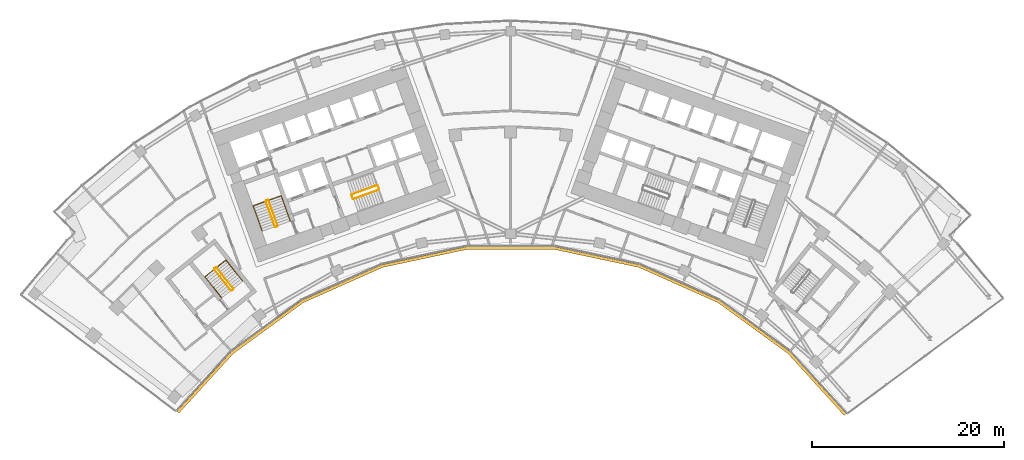
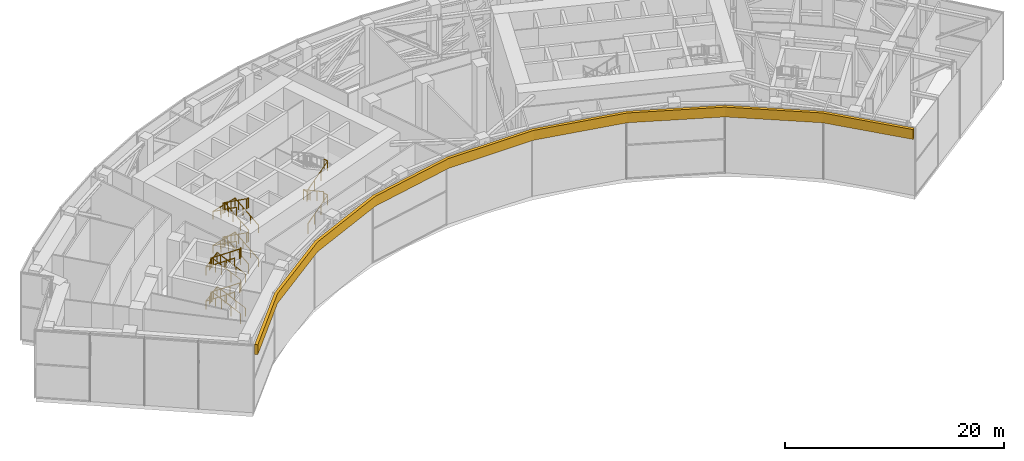
# One storey, part 30 of 32: 15 railings, 1 covering.
"""IFC4 building model written with IfcOpenShell, lengths in metres."""

from ifc_helpers import new_model, si_unit, direction, frame, origin, origin_2d, place, context, subcontext, project, spatial, polyline, circle, outline, extrude, material, layer, layer_set, type_object, element, save


model = new_model("IFC4")

# Units and contexts
model_context = context("Model", 3, precision=1e-05, world=origin(), true_north=direction((0.0, 1.0)))
body_context = subcontext(model_context, "Body", "Model", "MODEL_VIEW")
ifc_project = project(units=[si_unit("LENGTHUNIT", "METRE"), si_unit("AREAUNIT", "SQUARE_METRE"), si_unit("VOLUMEUNIT", "CUBIC_METRE"), si_unit("PLANEANGLEUNIT", "RADIAN"), si_unit("MASSUNIT", "GRAM", prefix="KILO")], contexts=[model_context])

# Site, building, storey
site_placement = place(None, origin())
site = spatial("IfcSite", under=ifc_project, at=site_placement, CompositionType="ELEMENT")
building_placement = place(site_placement, origin())
building = spatial("IfcBuilding", under=site, at=building_placement, Name="Stone Belt Terrace Tower", CompositionType="ELEMENT")
storey_placement = place(building_placement, frame((0.0, 0.0, 193.39990234375)))
storey = spatial("IfcBuildingStorey", under=building, at=storey_placement, Name="L47", CompositionType="ELEMENT", Elevation=193.39990234375)

# Railings
ifc_material_1 = material(Name="Structural steel C345", Category="steel")
railing_type_1 = type_object("IfcRailingType", Name="Stair guard 1100", PredefinedType="GUARDRAIL", material=ifc_material_1)
railing_1_placement = place(storey_placement, frame((-24.2119140625, 45.276123046875, 0.1728515625)))
element("IfcRailing", 1, at=railing_1_placement, inside=storey, type_object=railing_type_1, Name="L47 ST1A stair guard 1", PredefinedType="GUARDRAIL", context=body_context, shape_type="SweptSolid", body=[
    extrude(circle(Radius=0.02392578125, at=origin_2d()), frame((0.0, 0.0, 1.076171875), z_axis=(-0.288228637646, 0.800791768495, 0.525030280985), x_axis=(-0.940908529223, -0.338660803216, 0.0)), (0.0, 0.0, 1.0), 3.289794921875),
    extrude(circle(Radius=0.02392578125, at=origin_2d()), frame((-0.9482421875, 2.634521484375, 2.80322265625), z_axis=(-0.905209821074, 0.424964916, 0.0), x_axis=(-0.424964916, -0.905209821074, 0.0)), (0.0, 0.0, 1.0), 0.070556640625),
    extrude(circle(Radius=0.02392578125, at=origin_2d()), frame((-1.01220703125, 2.66455078125, 2.80322265625), z_axis=(-0.941105063269, -0.338114270461, 0.0), x_axis=(0.338114270461, -0.941105063269, 0.0)), (0.0, 0.0, 1.0), 0.199951171875),
    extrude(circle(Radius=0.02099609375, at=origin_2d()), origin(), (0.0, 0.0, 1.0), 1.052001953125),
    extrude(circle(Radius=0.02099609375, at=origin_2d()), frame((-0.316162109375, 0.878173828125, 0.57568359375)), (0.0, 0.0, 1.0), 1.052001953125),
    extrude(circle(Radius=0.02099609375, at=origin_2d()), frame((-0.632080078125, 1.75634765625, 1.151611328125)), (0.0, 0.0, 1.0), 1.052001953125),
    extrude(circle(Radius=0.02099609375, at=origin_2d()), frame((-0.9482421875, 2.634521484375, 1.727294921875)), (0.0, 0.0, 1.0), 1.052001953125),
    extrude(circle(Radius=0.02099609375, at=origin_2d()), frame((-1.01220703125, 2.66455078125, 1.727294921875)), (0.0, 0.0, 1.0), 1.052001953125),
    extrude(circle(Radius=0.02099609375, at=origin_2d()), frame((-1.200439453125, 2.596923828125, 1.727294921875)), (0.0, 0.0, 1.0), 1.052001953125),
])
railing_2_placement = place(storey_placement, frame((-25.4423828125, 47.80908203125, 2.07275390625)))
element("IfcRailing", 2, at=railing_2_placement, inside=storey, type_object=railing_type_1, Name="L47 ST1A stair guard 2", PredefinedType="GUARDRAIL", context=body_context, shape_type="SweptSolid", body=[
    extrude(circle(Radius=0.02392578125, at=origin_2d()), frame((0.0, 0.0, 1.076171875), z_axis=(0.288228637646, -0.800791768495, 0.525030280985), x_axis=(0.940908529223, 0.338660803216, 0.0)), (0.0, 0.0, 1.0), 3.289794921875),
    extrude(circle(Radius=0.02392578125, at=origin_2d()), frame((0.9482421875, -2.634521484375, 2.80322265625), z_axis=(0.903878284585, -0.427789722475, 0.0), x_axis=(0.427789722475, 0.903878284585, 0.0)), (0.0, 0.0, 1.0), 0.07080078125),
    extrude(circle(Radius=0.02392578125, at=origin_2d()), frame((1.01220703125, -2.664794921875, 2.80322265625), z_axis=(0.940575576748, 0.339584429008, 0.0), x_axis=(-0.339584429008, 0.940575576748, 0.0)), (0.0, 0.0, 1.0), 0.199951171875),
    extrude(circle(Radius=0.02099609375, at=origin_2d()), origin(), (0.0, 0.0, 1.0), 1.052001953125),
    extrude(circle(Radius=0.02099609375, at=origin_2d()), frame((0.316162109375, -0.878173828125, 0.57568359375)), (0.0, 0.0, 1.0), 1.052001953125),
    extrude(circle(Radius=0.02099609375, at=origin_2d()), frame((0.632080078125, -1.75634765625, 1.151611328125)), (0.0, 0.0, 1.0), 1.052001953125),
    extrude(circle(Radius=0.02099609375, at=origin_2d()), frame((0.9482421875, -2.634521484375, 1.727294921875)), (0.0, 0.0, 1.0), 1.052001953125),
    extrude(circle(Radius=0.02099609375, at=origin_2d()), frame((1.01220703125, -2.664794921875, 1.727294921875)), (0.0, 0.0, 1.0), 1.052001953125),
    extrude(circle(Radius=0.02099609375, at=origin_2d()), frame((1.2001953125, -2.596923828125, 1.727294921875)), (0.0, 0.0, 1.0), 1.052001953125),
])
railing_3_placement = place(storey_placement, frame((-24.2119140625, 45.276123046875, 3.972900390625)))
element("IfcRailing", 3, at=railing_3_placement, inside=storey, type_object=railing_type_1, Name="L47 ST1A stair guard 3", PredefinedType="GUARDRAIL", context=body_context, shape_type="SweptSolid", body=[
    extrude(circle(Radius=0.02392578125, at=origin_2d()), frame((0.0, 0.0, 1.076171875), z_axis=(-0.288228637646, 0.800791768495, 0.525030280985), x_axis=(-0.940908529223, -0.338660803216, 0.0)), (0.0, 0.0, 1.0), 3.289794921875),
    extrude(circle(Radius=0.02392578125, at=origin_2d()), frame((-0.9482421875, 2.634521484375, 2.80322265625), z_axis=(-0.905209821074, 0.424964916, 0.0), x_axis=(-0.424964916, -0.905209821074, 0.0)), (0.0, 0.0, 1.0), 0.070556640625),
    extrude(circle(Radius=0.02392578125, at=origin_2d()), frame((-1.01220703125, 2.66455078125, 2.80322265625), z_axis=(-0.941105063269, -0.338114270461, 0.0), x_axis=(0.338114270461, -0.941105063269, 0.0)), (0.0, 0.0, 1.0), 0.199951171875),
    extrude(circle(Radius=0.02099609375, at=origin_2d()), origin(), (0.0, 0.0, 1.0), 1.052001953125),
    extrude(circle(Radius=0.02099609375, at=origin_2d()), frame((-0.316162109375, 0.878173828125, 0.57568359375)), (0.0, 0.0, 1.0), 1.052001953125),
    extrude(circle(Radius=0.02099609375, at=origin_2d()), frame((-0.632080078125, 1.75634765625, 1.151611328125)), (0.0, 0.0, 1.0), 1.052001953125),
    extrude(circle(Radius=0.02099609375, at=origin_2d()), frame((-0.9482421875, 2.634521484375, 1.727294921875)), (0.0, 0.0, 1.0), 1.052001953125),
    extrude(circle(Radius=0.02099609375, at=origin_2d()), frame((-1.01220703125, 2.66455078125, 1.727294921875)), (0.0, 0.0, 1.0), 1.052001953125),
    extrude(circle(Radius=0.02099609375, at=origin_2d()), frame((-1.200439453125, 2.596923828125, 1.727294921875)), (0.0, 0.0, 1.0), 1.052001953125),
])
railing_4_placement = place(storey_placement, frame((-25.4423828125, 47.80908203125, 5.872802734375)))
element("IfcRailing", 4, at=railing_4_placement, inside=storey, type_object=railing_type_1, Name="L47 ST1A stair guard 4", PredefinedType="GUARDRAIL", context=body_context, shape_type="SweptSolid", body=[
    extrude(circle(Radius=0.02392578125, at=origin_2d()), frame((0.0, 0.0, 1.076171875), z_axis=(0.288228637646, -0.800791768495, 0.525030280985), x_axis=(0.940908529223, 0.338660803216, 0.0)), (0.0, 0.0, 1.0), 3.289794921875),
    extrude(circle(Radius=0.02392578125, at=origin_2d()), frame((0.9482421875, -2.634521484375, 2.80322265625), z_axis=(0.903878284585, -0.427789722475, 0.0), x_axis=(0.427789722475, 0.903878284585, 0.0)), (0.0, 0.0, 1.0), 0.07080078125),
    extrude(circle(Radius=0.02392578125, at=origin_2d()), frame((1.01220703125, -2.664794921875, 2.80322265625), z_axis=(0.940575576748, 0.339584429008, 0.0), x_axis=(-0.339584429008, 0.940575576748, 0.0)), (0.0, 0.0, 1.0), 0.199951171875),
    extrude(circle(Radius=0.02099609375, at=origin_2d()), origin(), (0.0, 0.0, 1.0), 1.052001953125),
    extrude(circle(Radius=0.02099609375, at=origin_2d()), frame((0.316162109375, -0.878173828125, 0.57568359375)), (0.0, 0.0, 1.0), 1.052001953125),
    extrude(circle(Radius=0.02099609375, at=origin_2d()), frame((0.632080078125, -1.75634765625, 1.151611328125)), (0.0, 0.0, 1.0), 1.052001953125),
    extrude(circle(Radius=0.02099609375, at=origin_2d()), frame((0.9482421875, -2.634521484375, 1.727294921875)), (0.0, 0.0, 1.0), 1.052001953125),
    extrude(circle(Radius=0.02099609375, at=origin_2d()), frame((1.01220703125, -2.664794921875, 1.727294921875)), (0.0, 0.0, 1.0), 1.052001953125),
    extrude(circle(Radius=0.02099609375, at=origin_2d()), frame((1.2001953125, -2.596923828125, 1.727294921875)), (0.0, 0.0, 1.0), 1.052001953125),
])
railing_5_placement = place(storey_placement, frame((-16.33837890625, 48.056640625, 0.1728515625)))
element("IfcRailing", 5, at=railing_5_placement, inside=storey, type_object=railing_type_1, Name="L47 ST2A stair guard 1", PredefinedType="GUARDRAIL", context=body_context, shape_type="SweptSolid", body=[
    extrude(circle(Radius=0.02392578125, at=origin_2d()), frame((0.0, 0.0, 1.076171875), z_axis=(0.800808895155, 0.288160591223, 0.52504150989), x_axis=(-0.338583606334, 0.940936311087, 0.0)), (0.0, 0.0, 1.0), 3.289794921875),
    extrude(circle(Radius=0.02392578125, at=origin_2d()), frame((2.634521484375, 0.947998046875, 2.80322265625), z_axis=(0.427789722475, 0.903878284585, 0.0), x_axis=(-0.903878284585, 0.427789722475, 0.0)), (0.0, 0.0, 1.0), 0.07080078125),
    extrude(circle(Radius=0.02392578125, at=origin_2d()), frame((2.664794921875, 1.011962890625, 2.80322265625), z_axis=(-0.338654645739, 0.940910745459, 0.0), x_axis=(-0.940910745459, -0.338654645739, 0.0)), (0.0, 0.0, 1.0), 0.400146484375),
    extrude(circle(Radius=0.02099609375, at=origin_2d()), origin(), (0.0, 0.0, 1.0), 1.052001953125),
    extrude(circle(Radius=0.02099609375, at=origin_2d()), frame((0.878173828125, 0.31591796875, 0.57568359375)), (0.0, 0.0, 1.0), 1.052001953125),
    extrude(circle(Radius=0.02099609375, at=origin_2d()), frame((1.75634765625, 0.632080078125, 1.151611328125)), (0.0, 0.0, 1.0), 1.052001953125),
    extrude(circle(Radius=0.02099609375, at=origin_2d()), frame((2.634521484375, 0.947998046875, 1.727294921875)), (0.0, 0.0, 1.0), 1.052001953125),
    extrude(circle(Radius=0.02099609375, at=origin_2d()), frame((2.664794921875, 1.011962890625, 1.727294921875)), (0.0, 0.0, 1.0), 1.052001953125),
    extrude(circle(Radius=0.02099609375, at=origin_2d()), frame((2.529296875, 1.388427734375, 1.727294921875)), (0.0, 0.0, 1.0), 1.052001953125),
])
railing_6_placement = place(storey_placement, frame((-13.873046875, 49.47509765625, 2.07275390625)))
element("IfcRailing", 6, at=railing_6_placement, inside=storey, type_object=railing_type_1, Name="L47 ST2A stair guard 2", PredefinedType="GUARDRAIL", context=body_context, shape_type="SweptSolid", body=[
    extrude(circle(Radius=0.02392578125, at=origin_2d()), frame((0.0, 0.0, 1.076171875), z_axis=(-0.800808895155, -0.288160591223, 0.52504150989), x_axis=(0.338583606334, -0.940936311087, 0.0)), (0.0, 0.0, 1.0), 3.289794921875),
    extrude(circle(Radius=0.02392578125, at=origin_2d()), frame((-2.634521484375, -0.947998046875, 2.80322265625), z_axis=(-0.427789722475, -0.903878284585, 0.0), x_axis=(0.903878284585, -0.427789722475, 0.0)), (0.0, 0.0, 1.0), 0.07080078125),
    extrude(circle(Radius=0.02392578125, at=origin_2d()), frame((-2.664794921875, -1.011962890625, 2.80322265625), z_axis=(0.338654645739, -0.940910745459, 0.0), x_axis=(0.940910745459, 0.338654645739, 0.0)), (0.0, 0.0, 1.0), 0.400146484375),
    extrude(circle(Radius=0.02099609375, at=origin_2d()), origin(), (0.0, 0.0, 1.0), 1.052001953125),
    extrude(circle(Radius=0.02099609375, at=origin_2d()), frame((-0.878173828125, -0.31591796875, 0.57568359375)), (0.0, 0.0, 1.0), 1.052001953125),
    extrude(circle(Radius=0.02099609375, at=origin_2d()), frame((-1.75634765625, -0.632080078125, 1.151611328125)), (0.0, 0.0, 1.0), 1.052001953125),
    extrude(circle(Radius=0.02099609375, at=origin_2d()), frame((-2.634521484375, -0.947998046875, 1.727294921875)), (0.0, 0.0, 1.0), 1.052001953125),
    extrude(circle(Radius=0.02099609375, at=origin_2d()), frame((-2.664794921875, -1.011962890625, 1.727294921875)), (0.0, 0.0, 1.0), 1.052001953125),
    extrude(circle(Radius=0.02099609375, at=origin_2d()), frame((-2.529296875, -1.388427734375, 1.727294921875)), (0.0, 0.0, 1.0), 1.052001953125),
])
railing_7_placement = place(storey_placement, frame((-16.33837890625, 48.056640625, 3.972900390625)))
element("IfcRailing", 7, at=railing_7_placement, inside=storey, type_object=railing_type_1, Name="L47 ST2A stair guard 3", PredefinedType="GUARDRAIL", context=body_context, shape_type="SweptSolid", body=[
    extrude(circle(Radius=0.02392578125, at=origin_2d()), frame((0.0, 0.0, 1.076171875), z_axis=(0.800808895155, 0.288160591223, 0.52504150989), x_axis=(-0.338583606334, 0.940936311087, 0.0)), (0.0, 0.0, 1.0), 3.289794921875),
    extrude(circle(Radius=0.02392578125, at=origin_2d()), frame((2.634521484375, 0.947998046875, 2.80322265625), z_axis=(0.427789722475, 0.903878284585, 0.0), x_axis=(-0.903878284585, 0.427789722475, 0.0)), (0.0, 0.0, 1.0), 0.07080078125),
    extrude(circle(Radius=0.02392578125, at=origin_2d()), frame((2.664794921875, 1.011962890625, 2.80322265625), z_axis=(-0.338654645739, 0.940910745459, 0.0), x_axis=(-0.940910745459, -0.338654645739, 0.0)), (0.0, 0.0, 1.0), 0.400146484375),
    extrude(circle(Radius=0.02099609375, at=origin_2d()), origin(), (0.0, 0.0, 1.0), 1.052001953125),
    extrude(circle(Radius=0.02099609375, at=origin_2d()), frame((0.878173828125, 0.31591796875, 0.57568359375)), (0.0, 0.0, 1.0), 1.052001953125),
    extrude(circle(Radius=0.02099609375, at=origin_2d()), frame((1.75634765625, 0.632080078125, 1.151611328125)), (0.0, 0.0, 1.0), 1.052001953125),
    extrude(circle(Radius=0.02099609375, at=origin_2d()), frame((2.634521484375, 0.947998046875, 1.727294921875)), (0.0, 0.0, 1.0), 1.052001953125),
    extrude(circle(Radius=0.02099609375, at=origin_2d()), frame((2.664794921875, 1.011962890625, 1.727294921875)), (0.0, 0.0, 1.0), 1.052001953125),
    extrude(circle(Radius=0.02099609375, at=origin_2d()), frame((2.529296875, 1.388427734375, 1.727294921875)), (0.0, 0.0, 1.0), 1.052001953125),
])
railing_8_placement = place(storey_placement, frame((-28.814208984375, 38.734619140625, 0.1728515625)))
element("IfcRailing", 8, at=railing_8_placement, inside=storey, type_object=railing_type_1, Name="L47 ST3A stair guard 1", PredefinedType="GUARDRAIL", context=body_context, shape_type="SweptSolid", body=[
    extrude(circle(Radius=0.02392578125, at=origin_2d()), frame((0.0, 0.0, 1.076171875), z_axis=(-0.530306321799, 0.665665785969, 0.525037395288), x_axis=(-0.782143211408, -0.623098705543, 0.0)), (0.0, 0.0, 1.0), 3.289794921875),
    extrude(circle(Radius=0.02392578125, at=origin_2d()), frame((-1.74462890625, 2.18994140625, 2.80322265625), z_axis=(-0.993883734674, 0.110431526075, 0.0), x_axis=(-0.110431526075, -0.993883734674, 0.0)), (0.0, 0.0, 1.0), 0.07080078125),
    extrude(circle(Radius=0.02392578125, at=origin_2d()), frame((-1.81494140625, 2.19775390625, 2.80322265625), z_axis=(-0.782533463299, -0.622608527742, 0.0), x_axis=(0.622608527742, -0.782533463299, 0.0)), (0.0, 0.0, 1.0), 0.199951171875),
    extrude(circle(Radius=0.02099609375, at=origin_2d()), origin(), (0.0, 0.0, 1.0), 1.052001953125),
    extrude(circle(Radius=0.02099609375, at=origin_2d()), frame((-0.58154296875, 0.72998046875, 0.57568359375)), (0.0, 0.0, 1.0), 1.052001953125),
    extrude(circle(Radius=0.02099609375, at=origin_2d()), frame((-1.1630859375, 1.4599609375, 1.151611328125)), (0.0, 0.0, 1.0), 1.052001953125),
    extrude(circle(Radius=0.02099609375, at=origin_2d()), frame((-1.74462890625, 2.18994140625, 1.727294921875)), (0.0, 0.0, 1.0), 1.052001953125),
    extrude(circle(Radius=0.02099609375, at=origin_2d()), frame((-1.81494140625, 2.19775390625, 1.727294921875)), (0.0, 0.0, 1.0), 1.052001953125),
    extrude(circle(Radius=0.02099609375, at=origin_2d()), frame((-1.971435546875, 2.0732421875, 1.727294921875)), (0.0, 0.0, 1.0), 1.052001953125),
])
railing_9_placement = place(storey_placement, frame((-30.793701171875, 40.737548828125, 2.07275390625)))
element("IfcRailing", 9, at=railing_9_placement, inside=storey, type_object=railing_type_1, Name="L47 ST3A stair guard 2", PredefinedType="GUARDRAIL", context=body_context, shape_type="SweptSolid", body=[
    extrude(circle(Radius=0.02392578125, at=origin_2d()), frame((0.0, 0.0, 1.076171875), z_axis=(0.530359659125, -0.665639588968, 0.525016732659), x_axis=(0.782100716982, 0.62315204284, 0.0)), (0.0, 0.0, 1.0), 3.2900390625),
    extrude(circle(Radius=0.02392578125, at=origin_2d()), frame((1.744873046875, -2.18994140625, 2.80322265625), z_axis=(0.993499272973, -0.113838458361, 0.0), x_axis=(0.113838458361, 0.993499272973, 0.0)), (0.0, 0.0, 1.0), 0.07080078125),
    extrude(circle(Radius=0.02392578125, at=origin_2d()), frame((1.815185546875, -2.197998046875, 2.80322265625), z_axis=(0.781464082609, 0.623950228458, 0.0), x_axis=(-0.623950228458, 0.781464082609, 0.0)), (0.0, 0.0, 1.0), 0.199951171875),
    extrude(circle(Radius=0.02099609375, at=origin_2d()), origin(), (0.0, 0.0, 1.0), 1.052001953125),
    extrude(circle(Radius=0.02099609375, at=origin_2d()), frame((0.58154296875, -0.72998046875, 0.57568359375)), (0.0, 0.0, 1.0), 1.052001953125),
    extrude(circle(Radius=0.02099609375, at=origin_2d()), frame((1.163330078125, -1.4599609375, 1.151611328125)), (0.0, 0.0, 1.0), 1.052001953125),
    extrude(circle(Radius=0.02099609375, at=origin_2d()), frame((1.744873046875, -2.18994140625, 1.727294921875)), (0.0, 0.0, 1.0), 1.052001953125),
    extrude(circle(Radius=0.02099609375, at=origin_2d()), frame((1.815185546875, -2.197998046875, 1.727294921875)), (0.0, 0.0, 1.0), 1.052001953125),
    extrude(circle(Radius=0.02099609375, at=origin_2d()), frame((1.971435546875, -2.0732421875, 1.727294921875)), (0.0, 0.0, 1.0), 1.052001953125),
])
railing_10_placement = place(storey_placement, frame((-28.814208984375, 38.734619140625, 3.972900390625)))
element("IfcRailing", 10, at=railing_10_placement, inside=storey, type_object=railing_type_1, Name="L47 ST3A stair guard 3", PredefinedType="GUARDRAIL", context=body_context, shape_type="SweptSolid", body=[
    extrude(circle(Radius=0.02392578125, at=origin_2d()), frame((0.0, 0.0, 1.076171875), z_axis=(-0.530306321799, 0.665665785969, 0.525037395288), x_axis=(-0.782143211408, -0.623098705543, 0.0)), (0.0, 0.0, 1.0), 3.289794921875),
    extrude(circle(Radius=0.02392578125, at=origin_2d()), frame((-1.74462890625, 2.18994140625, 2.80322265625), z_axis=(-0.993883734674, 0.110431526075, 0.0), x_axis=(-0.110431526075, -0.993883734674, 0.0)), (0.0, 0.0, 1.0), 0.07080078125),
    extrude(circle(Radius=0.02392578125, at=origin_2d()), frame((-1.81494140625, 2.19775390625, 2.80322265625), z_axis=(-0.782533463299, -0.622608527742, 0.0), x_axis=(0.622608527742, -0.782533463299, 0.0)), (0.0, 0.0, 1.0), 0.199951171875),
    extrude(circle(Radius=0.02099609375, at=origin_2d()), origin(), (0.0, 0.0, 1.0), 1.052001953125),
    extrude(circle(Radius=0.02099609375, at=origin_2d()), frame((-0.58154296875, 0.72998046875, 0.57568359375)), (0.0, 0.0, 1.0), 1.052001953125),
    extrude(circle(Radius=0.02099609375, at=origin_2d()), frame((-1.1630859375, 1.4599609375, 1.151611328125)), (0.0, 0.0, 1.0), 1.052001953125),
    extrude(circle(Radius=0.02099609375, at=origin_2d()), frame((-1.74462890625, 2.18994140625, 1.727294921875)), (0.0, 0.0, 1.0), 1.052001953125),
    extrude(circle(Radius=0.02099609375, at=origin_2d()), frame((-1.81494140625, 2.19775390625, 1.727294921875)), (0.0, 0.0, 1.0), 1.052001953125),
    extrude(circle(Radius=0.02099609375, at=origin_2d()), frame((-1.971435546875, 2.0732421875, 1.727294921875)), (0.0, 0.0, 1.0), 1.052001953125),
])
railing_11_placement = place(storey_placement, frame((-30.793701171875, 40.737548828125, 5.872802734375)))
element("IfcRailing", 11, at=railing_11_placement, inside=storey, type_object=railing_type_1, Name="L47 ST3A stair guard 4", PredefinedType="GUARDRAIL", context=body_context, shape_type="SweptSolid", body=[
    extrude(circle(Radius=0.02392578125, at=origin_2d()), frame((0.0, 0.0, 1.076171875), z_axis=(0.530359659125, -0.665639588968, 0.525016732659), x_axis=(0.782100716982, 0.62315204284, 0.0)), (0.0, 0.0, 1.0), 3.2900390625),
    extrude(circle(Radius=0.02392578125, at=origin_2d()), frame((1.744873046875, -2.18994140625, 2.80322265625), z_axis=(0.993499272973, -0.113838458361, 0.0), x_axis=(0.113838458361, 0.993499272973, 0.0)), (0.0, 0.0, 1.0), 0.07080078125),
    extrude(circle(Radius=0.02392578125, at=origin_2d()), frame((1.815185546875, -2.197998046875, 2.80322265625), z_axis=(0.781464082609, 0.623950228458, 0.0), x_axis=(-0.623950228458, 0.781464082609, 0.0)), (0.0, 0.0, 1.0), 0.199951171875),
    extrude(circle(Radius=0.02099609375, at=origin_2d()), origin(), (0.0, 0.0, 1.0), 1.052001953125),
    extrude(circle(Radius=0.02099609375, at=origin_2d()), frame((0.58154296875, -0.72998046875, 0.57568359375)), (0.0, 0.0, 1.0), 1.052001953125),
    extrude(circle(Radius=0.02099609375, at=origin_2d()), frame((1.163330078125, -1.4599609375, 1.151611328125)), (0.0, 0.0, 1.0), 1.052001953125),
    extrude(circle(Radius=0.02099609375, at=origin_2d()), frame((1.744873046875, -2.18994140625, 1.727294921875)), (0.0, 0.0, 1.0), 1.052001953125),
    extrude(circle(Radius=0.02099609375, at=origin_2d()), frame((1.815185546875, -2.197998046875, 1.727294921875)), (0.0, 0.0, 1.0), 1.052001953125),
    extrude(circle(Radius=0.02099609375, at=origin_2d()), frame((1.971435546875, -2.0732421875, 1.727294921875)), (0.0, 0.0, 1.0), 1.052001953125),
])
railing_type_2 = type_object("IfcRailingType", Name="Stair handrail 900", PredefinedType="HANDRAIL", material=ifc_material_1)
railing_12_placement = place(storey_placement, frame((-22.894775390625, 45.750244140625, 0.1728515625)))
element("IfcRailing", 12, at=railing_12_placement, inside=storey, type_object=railing_type_2, Name="L47 ST1A stair handrail 1", PredefinedType="HANDRAIL", context=body_context, shape_type="SweptSolid", body=[
    extrude(circle(Radius=0.02392578125, at=origin_2d()), frame((0.0, 0.0, 0.8759765625), z_axis=(-0.288160591223, 0.800808895155, 0.52504150989), x_axis=(-0.940936311087, -0.338583606334, 0.0)), (0.0, 0.0, 1.0), 3.289794921875),
    extrude(circle(Radius=0.02392578125, at=origin_2d()), frame((-0.947998046875, 2.634521484375, 2.60302734375), z_axis=(-0.939464517435, -0.338106580597, 0.055591012205), x_axis=(0.338630230244, -0.940919532779, 0.0)), (0.0, 0.0, 1.0), 3.10498046875),
    extrude(circle(Radius=0.02392578125, at=origin_2d()), frame((-3.864990234375, 1.584716796875, 2.77587890625), z_axis=(0.288228637646, -0.800791768495, 0.525030280985), x_axis=(0.940908529223, 0.338660803216, 0.0)), (0.0, 0.0, 1.0), 3.289794921875),
    extrude(circle(Radius=0.02099609375, at=origin_2d()), origin(), (0.0, 0.0, 1.0), 0.851806640625),
    extrude(circle(Radius=0.02099609375, at=origin_2d()), frame((-0.31591796875, 0.878173828125, 0.57568359375)), (0.0, 0.0, 1.0), 0.851806640625),
    extrude(circle(Radius=0.02099609375, at=origin_2d()), frame((-0.632080078125, 1.75634765625, 1.151611328125)), (0.0, 0.0, 1.0), 0.851806640625),
    extrude(circle(Radius=0.02099609375, at=origin_2d()), frame((-0.947998046875, 2.634521484375, 1.727294921875)), (0.0, 0.0, 1.0), 0.851806640625),
    extrude(circle(Radius=0.02099609375, at=origin_2d()), frame((-1.92041015625, 2.28466796875, 1.784912109375)), (0.0, 0.0, 1.0), 0.851806640625),
    extrude(circle(Radius=0.02099609375, at=origin_2d()), frame((-2.892578125, 1.9345703125, 1.84228515625)), (0.0, 0.0, 1.0), 0.851806640625),
    extrude(circle(Radius=0.02099609375, at=origin_2d()), frame((-3.864990234375, 1.584716796875, 1.89990234375)), (0.0, 0.0, 1.0), 0.851806640625),
    extrude(circle(Radius=0.02099609375, at=origin_2d()), frame((-3.548828125, 0.70654296875, 2.4755859375)), (0.0, 0.0, 1.0), 0.851806640625),
    extrude(circle(Radius=0.02099609375, at=origin_2d()), frame((-3.23291015625, -0.171630859375, 3.051513671875)), (0.0, 0.0, 1.0), 0.851806640625),
    extrude(circle(Radius=0.02099609375, at=origin_2d()), frame((-2.916748046875, -1.0498046875, 3.627197265625)), (0.0, 0.0, 1.0), 0.851806640625),
])
railing_13_placement = place(storey_placement, frame((-22.894775390625, 45.750244140625, 3.972900390625)))
element("IfcRailing", 13, at=railing_13_placement, inside=storey, type_object=railing_type_2, Name="L47 ST1A stair handrail 2", PredefinedType="HANDRAIL", context=body_context, shape_type="SweptSolid", body=[
    extrude(circle(Radius=0.02392578125, at=origin_2d()), frame((0.0, 0.0, 0.8759765625), z_axis=(-0.288160591223, 0.800808895155, 0.52504150989), x_axis=(-0.940936311087, -0.338583606334, 0.0)), (0.0, 0.0, 1.0), 3.289794921875),
    extrude(circle(Radius=0.02392578125, at=origin_2d()), frame((-0.947998046875, 2.634521484375, 2.60302734375), z_axis=(-0.939464517435, -0.338106580597, 0.055591012205), x_axis=(0.338630230244, -0.940919532779, 0.0)), (0.0, 0.0, 1.0), 3.10498046875),
    extrude(circle(Radius=0.02392578125, at=origin_2d()), frame((-3.864990234375, 1.584716796875, 2.77587890625), z_axis=(0.288228637646, -0.800791768495, 0.525030280985), x_axis=(0.940908529223, 0.338660803216, 0.0)), (0.0, 0.0, 1.0), 3.289794921875),
    extrude(circle(Radius=0.02099609375, at=origin_2d()), origin(), (0.0, 0.0, 1.0), 0.851806640625),
    extrude(circle(Radius=0.02099609375, at=origin_2d()), frame((-0.31591796875, 0.878173828125, 0.57568359375)), (0.0, 0.0, 1.0), 0.851806640625),
    extrude(circle(Radius=0.02099609375, at=origin_2d()), frame((-0.632080078125, 1.75634765625, 1.151611328125)), (0.0, 0.0, 1.0), 0.851806640625),
    extrude(circle(Radius=0.02099609375, at=origin_2d()), frame((-0.947998046875, 2.634521484375, 1.727294921875)), (0.0, 0.0, 1.0), 0.851806640625),
    extrude(circle(Radius=0.02099609375, at=origin_2d()), frame((-1.92041015625, 2.28466796875, 1.784912109375)), (0.0, 0.0, 1.0), 0.851806640625),
    extrude(circle(Radius=0.02099609375, at=origin_2d()), frame((-2.892578125, 1.9345703125, 1.84228515625)), (0.0, 0.0, 1.0), 0.851806640625),
    extrude(circle(Radius=0.02099609375, at=origin_2d()), frame((-3.864990234375, 1.584716796875, 1.89990234375)), (0.0, 0.0, 1.0), 0.851806640625),
    extrude(circle(Radius=0.02099609375, at=origin_2d()), frame((-3.548828125, 0.70654296875, 2.4755859375)), (0.0, 0.0, 1.0), 0.851806640625),
    extrude(circle(Radius=0.02099609375, at=origin_2d()), frame((-3.23291015625, -0.171630859375, 3.051513671875)), (0.0, 0.0, 1.0), 0.851806640625),
    extrude(circle(Radius=0.02099609375, at=origin_2d()), frame((-2.916748046875, -1.0498046875, 3.627197265625)), (0.0, 0.0, 1.0), 0.851806640625),
])
railing_14_placement = place(storey_placement, frame((-27.836669921875, 39.513427734375, 0.1728515625)))
element("IfcRailing", 14, at=railing_14_placement, inside=storey, type_object=railing_type_2, Name="L47 ST3A stair handrail 1", PredefinedType="HANDRAIL", context=body_context, shape_type="SweptSolid", body=[
    extrude(circle(Radius=0.02392578125, at=origin_2d()), frame((0.0, 0.0, 0.8759765625), z_axis=(-0.530306321799, 0.665665785969, 0.525037395288), x_axis=(-0.782143211408, -0.623098705543, 0.0)), (0.0, 0.0, 1.0), 3.289794921875),
    extrude(circle(Radius=0.02392578125, at=origin_2d()), frame((-1.74462890625, 2.18994140625, 2.60302734375), z_axis=(-0.780661215256, -0.62191806513, 0.061530376721), x_axis=(0.623098705543, -0.782143211408, 0.0)), (0.0, 0.0, 1.0), 2.80517578125),
    extrude(circle(Radius=0.02392578125, at=origin_2d()), frame((-3.9345703125, 0.4453125, 2.77587890625), z_axis=(0.530306321799, -0.665665785969, 0.525037395288), x_axis=(0.782143211408, 0.623098705543, 0.0)), (0.0, 0.0, 1.0), 3.289794921875),
    extrude(circle(Radius=0.02099609375, at=origin_2d()), origin(), (0.0, 0.0, 1.0), 0.851806640625),
    extrude(circle(Radius=0.02099609375, at=origin_2d()), frame((-0.58154296875, 0.72998046875, 0.57568359375)), (0.0, 0.0, 1.0), 0.851806640625),
    extrude(circle(Radius=0.02099609375, at=origin_2d()), frame((-1.1630859375, 1.4599609375, 1.151611328125)), (0.0, 0.0, 1.0), 0.851806640625),
    extrude(circle(Radius=0.02099609375, at=origin_2d()), frame((-1.74462890625, 2.18994140625, 1.727294921875)), (0.0, 0.0, 1.0), 0.851806640625),
    extrude(circle(Radius=0.02099609375, at=origin_2d()), frame((-2.474609375, 1.6083984375, 1.784912109375)), (0.0, 0.0, 1.0), 0.851806640625),
    extrude(circle(Radius=0.02099609375, at=origin_2d()), frame((-3.20458984375, 1.02685546875, 1.84228515625)), (0.0, 0.0, 1.0), 0.851806640625),
    extrude(circle(Radius=0.02099609375, at=origin_2d()), frame((-3.9345703125, 0.4453125, 1.89990234375)), (0.0, 0.0, 1.0), 0.851806640625),
    extrude(circle(Radius=0.02099609375, at=origin_2d()), frame((-3.35302734375, -0.28466796875, 2.4755859375)), (0.0, 0.0, 1.0), 0.851806640625),
    extrude(circle(Radius=0.02099609375, at=origin_2d()), frame((-2.771484375, -1.0146484375, 3.051513671875)), (0.0, 0.0, 1.0), 0.851806640625),
    extrude(circle(Radius=0.02099609375, at=origin_2d()), frame((-2.18994140625, -1.74462890625, 3.627197265625)), (0.0, 0.0, 1.0), 0.851806640625),
])
railing_15_placement = place(storey_placement, frame((-27.836669921875, 39.513427734375, 3.972900390625)))
element("IfcRailing", 15, at=railing_15_placement, inside=storey, type_object=railing_type_2, Name="L47 ST3A stair handrail 2", PredefinedType="HANDRAIL", context=body_context, shape_type="SweptSolid", body=[
    extrude(circle(Radius=0.02392578125, at=origin_2d()), frame((0.0, 0.0, 0.8759765625), z_axis=(-0.530306321799, 0.665665785969, 0.525037395288), x_axis=(-0.782143211408, -0.623098705543, 0.0)), (0.0, 0.0, 1.0), 3.289794921875),
    extrude(circle(Radius=0.02392578125, at=origin_2d()), frame((-1.74462890625, 2.18994140625, 2.60302734375), z_axis=(-0.780661215256, -0.62191806513, 0.061530376721), x_axis=(0.623098705543, -0.782143211408, 0.0)), (0.0, 0.0, 1.0), 2.80517578125),
    extrude(circle(Radius=0.02392578125, at=origin_2d()), frame((-3.9345703125, 0.4453125, 2.77587890625), z_axis=(0.530306321799, -0.665665785969, 0.525037395288), x_axis=(0.782143211408, 0.623098705543, 0.0)), (0.0, 0.0, 1.0), 3.289794921875),
    extrude(circle(Radius=0.02099609375, at=origin_2d()), origin(), (0.0, 0.0, 1.0), 0.851806640625),
    extrude(circle(Radius=0.02099609375, at=origin_2d()), frame((-0.58154296875, 0.72998046875, 0.57568359375)), (0.0, 0.0, 1.0), 0.851806640625),
    extrude(circle(Radius=0.02099609375, at=origin_2d()), frame((-1.1630859375, 1.4599609375, 1.151611328125)), (0.0, 0.0, 1.0), 0.851806640625),
    extrude(circle(Radius=0.02099609375, at=origin_2d()), frame((-1.74462890625, 2.18994140625, 1.727294921875)), (0.0, 0.0, 1.0), 0.851806640625),
    extrude(circle(Radius=0.02099609375, at=origin_2d()), frame((-2.474609375, 1.6083984375, 1.784912109375)), (0.0, 0.0, 1.0), 0.851806640625),
    extrude(circle(Radius=0.02099609375, at=origin_2d()), frame((-3.20458984375, 1.02685546875, 1.84228515625)), (0.0, 0.0, 1.0), 0.851806640625),
    extrude(circle(Radius=0.02099609375, at=origin_2d()), frame((-3.9345703125, 0.4453125, 1.89990234375)), (0.0, 0.0, 1.0), 0.851806640625),
    extrude(circle(Radius=0.02099609375, at=origin_2d()), frame((-3.35302734375, -0.28466796875, 2.4755859375)), (0.0, 0.0, 1.0), 0.851806640625),
    extrude(circle(Radius=0.02099609375, at=origin_2d()), frame((-2.771484375, -1.0146484375, 3.051513671875)), (0.0, 0.0, 1.0), 0.851806640625),
    extrude(circle(Radius=0.02099609375, at=origin_2d()), frame((-2.18994140625, -1.74462890625, 3.627197265625)), (0.0, 0.0, 1.0), 0.851806640625),
])

# Covering
ifc_material_2 = material(Name="Terracotta coloured glazed ceramic", Category="masonry")
ifc_layer = layer(ifc_material_2, 0.300048828125)
ifc_layer_set = layer_set([ifc_layer], Name="Terracotta spandrel band 300 x 1100")
covering_type = type_object("IfcCoveringType", Name="Terracotta spandrel band 300 x 1100", PredefinedType="CLADDING", material=ifc_layer_set)
covering_placement = place(storey_placement, frame((0.0, 0.0, 6.5)))
element("IfcCovering", 16, at=covering_placement, inside=storey, type_object=covering_type, Name="BAND L47", PredefinedType="CLADDING", context=body_context, shape_type="SweptSolid", body=[
    extrude(outline(polyline([(-34.688720703125, 25.99951171875), (-29.0068359375, 32.21435546875), (-21.674560546875, 37.54150390625), (-13.395751953125, 41.2275390625), (-4.53125, 43.11181640625), (4.53125, 43.11181640625), (13.395751953125, 41.2275390625), (21.674560546875, 37.54150390625), (29.006591796875, 32.214599609375), (34.877197265625, 25.74609375), (34.655029296875, 25.544677734375), (28.80517578125, 31.989990234375), (21.523681640625, 37.2802734375), (13.302490234375, 40.940673828125), (4.499755859375, 42.811767578125), (-4.499755859375, 42.811767578125), (-13.302490234375, 40.940673828125), (-21.523681640625, 37.2802734375), (-28.805908203125, 31.989501953125), (-34.46728515625, 25.797119140625), (-34.688720703125, 25.99951171875)])), origin(), (0.0, 0.0, 1.0), 1.10009765625),
])

save(model, "model.ifc")
